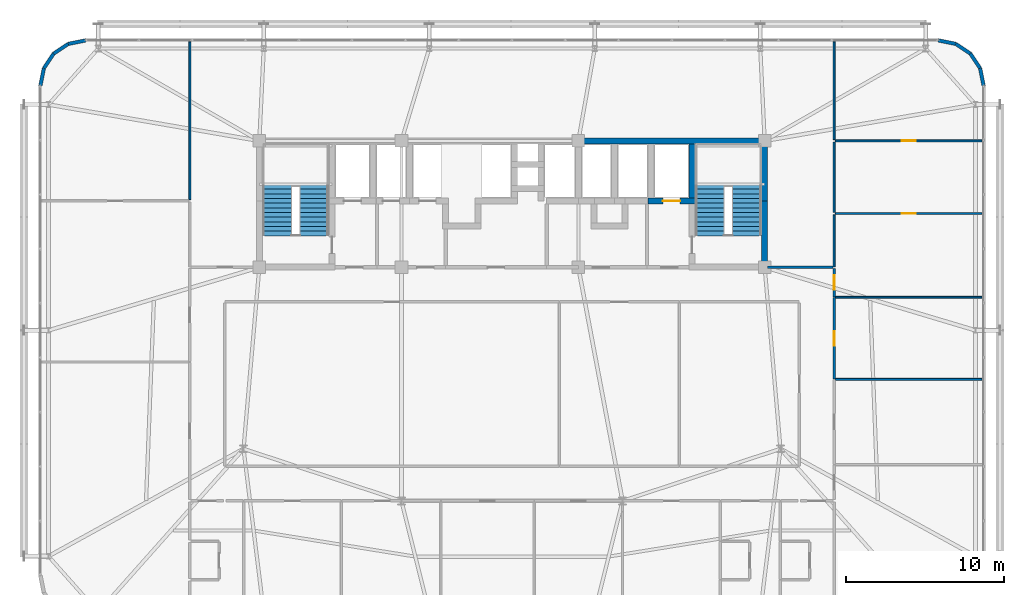
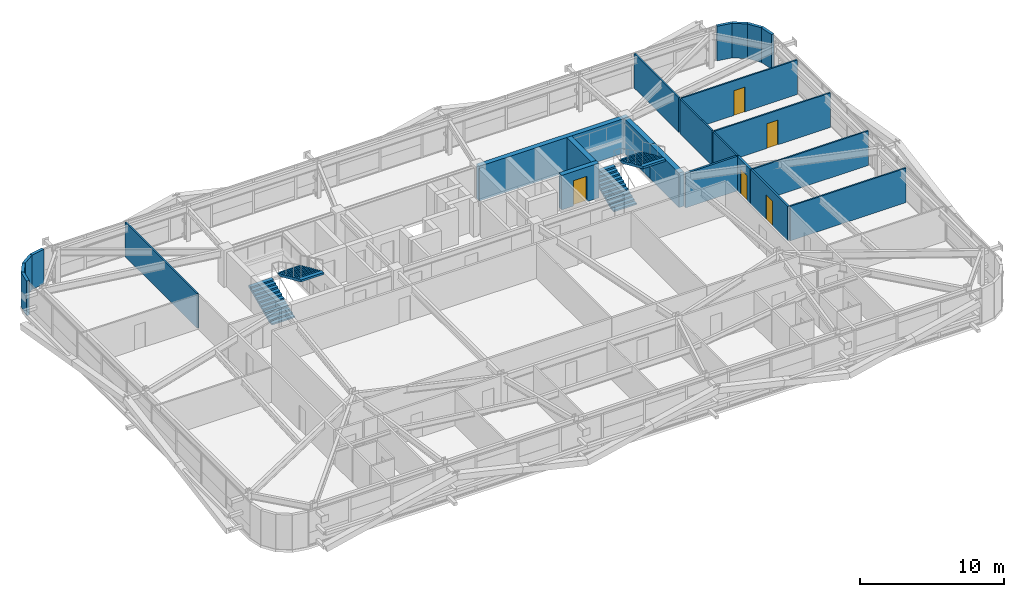
# One storey, part 55 of 58: 24 walls, 5 doors, 4 stair flights, 5 openings, 2 elements without a shape of their own.
"""IFC4 building model written with IfcOpenShell, lengths in metres."""

from ifc_helpers import new_model, si_unit, direction, frame, frame_2d, origin, place, context, subcontext, project, spatial, polyline, rectangle, outline, extrude, source, transform, mapped, material, layer, layer_set, type_object, element, fill, aggregate, save


model = new_model("IFC4")

# Units and contexts
model_context = context("Model", 3, precision=1e-05, world=origin(), true_north=direction((0.0, 1.0)))
body_context = subcontext(model_context, "Body", "Model", "MODEL_VIEW")
ifc_project = project(units=[si_unit("LENGTHUNIT", "METRE"), si_unit("AREAUNIT", "SQUARE_METRE"), si_unit("VOLUMEUNIT", "CUBIC_METRE"), si_unit("PLANEANGLEUNIT", "RADIAN"), si_unit("MASSUNIT", "GRAM", prefix="KILO")], contexts=[model_context])

# Site, building, storey
site_placement = place(None, origin())
site = spatial("IfcSite", under=ifc_project, at=site_placement, CompositionType="ELEMENT")
building_placement = place(site_placement, origin())
building = spatial("IfcBuilding", under=site, at=building_placement, Name="Taldren Reach Tower", CompositionType="ELEMENT")
storey_placement = place(building_placement, frame((0.0, 0.0, 54.60009765625)))
storey = spatial("IfcBuildingStorey", under=building, at=storey_placement, Name="L16", CompositionType="ELEMENT", Elevation=54.60009765625)

# Walls
ifc_material_1 = material(Name="Pale Champagne Anodised Aluminium Cladding", Category="aluminium")
ifc_layer_1 = layer(ifc_material_1, 0.04, Name="Pale Champagne Anodised Aluminium Cladding", Category="aluminium")
ifc_material_2 = material(Name="Mineral Wool Acoustic Insulation", Category="insulation")
ifc_layer_2 = layer(ifc_material_2, 0.06, Name="Mineral Wool Acoustic Insulation", Category="insulation")
ifc_material_3 = material(Name="Steel Gr 350 (C350L0)", Category="steel")
ifc_layer_3 = layer(ifc_material_3, 0.12, Name="Steel Gr 350 (C350L0)", Category="steel")
ifc_layer_set_1 = layer_set([ifc_layer_1, ifc_layer_2, ifc_layer_3], Name="Pale Champagne Aluminium Cladding and Steel Gr 350 Stud Framing")
wall_type_1 = type_object("IfcWallType", Name="EW-CRN-220", PredefinedType="SOLIDWALL", material=ifc_layer_set_1)
shared_shape_1 = source(origin(), body_context, "Body", "SweptSolid", [
    extrude(rectangle(XDim=1.115966796875, YDim=0.219970703125, at=frame_2d((0.55810546875, 0.0))), origin(), (0.0, 0.0, 1.0), 2.929931640625),
])
for number, where, z_axis, x_axis, name in (
    (1, (64.860107421875, 35.5, 0.0), (0.0, 0.0, 1.0), (-0.195148375659, 0.98077373103, 0.0), "Rounded-corner pale-metal facade wall L16-NE1"),
    (2, (64.642333984375, 36.594482421875, 0.0), (0.0, 0.0, 1.0), (-0.555709556774, 0.83137650226, 0.0), "Rounded-corner pale-metal facade wall L16-NE2"),
    (3, (64.022216796875, 37.522216796875, 0.0), (0.0, 0.0, 1.0), (-0.83137650226, 0.555709556774, 0.0), "Rounded-corner pale-metal facade wall L16-NE3"),
    (4, (63.094482421875, 38.142333984375, 0.0), (0.0, 0.0, 1.0), (-0.98077373103, 0.195148375659, 0.0), "Rounded-corner pale-metal facade wall L16-NE4"),
    (5, (8.0, 38.360107421875, 0.0), (0.0, 0.0, 1.0), (-0.98077373103, -0.195148375659, 0.0), "Rounded-corner pale-metal facade wall L16-NW1"),
    (6, (6.905517578125, 38.142333984375, 0.0), (0.0, 0.0, 1.0), (-0.83137650226, -0.555709556774, 0.0), "Rounded-corner pale-metal facade wall L16-NW2"),
    (7, (5.977783203125, 37.522216796875, 0.0), (0.0, 0.0, 1.0), (-0.555709556774, -0.83137650226, 0.0), "Rounded-corner pale-metal facade wall L16-NW3"),
    (8, (5.357666015625, 36.594482421875, 0.0), (0.0, 0.0, 1.0), (-0.195148375659, -0.98077373103, 0.0), "Rounded-corner pale-metal facade wall L16-NW4"),
):
    element("IfcWall", number, at=place(storey_placement, frame(where, z_axis=z_axis, x_axis=x_axis)), inside=storey, type_object=wall_type_1, Name=name, PredefinedType="SOLIDWALL", context=body_context, shape_type="MappedRepresentation", body=[
        mapped(shared_shape_1, transform((0.0, 0.0, 0.0), scale=1.0)),
    ])
ifc_material_4 = material(Name="Concrete S80 (80 MPa)", Category="concrete")
ifc_layer_4 = layer(ifc_material_4, 0.3798828125)
ifc_layer_set_2 = layer_set([ifc_layer_4], Name="Concrete S80 (80 MPa)")
wall_type_2 = type_object("IfcWallType", Name="IW-CORE-380", PredefinedType="SHEAR", material=ifc_layer_set_2)
shared_shape_2 = source(origin(), body_context, "Body", "SweptSolid", [
    extrude(rectangle(XDim=11.989990234375, YDim=0.3798828125, at=frame_2d((5.9951171875, 0.0))), origin(), (0.0, 0.0, 1.0), 2.929931640625),
])
wall_1_placement = place(storey_placement, frame((39.199951171875, 32.0, 0.0), z_axis=(0.0, 0.0, 1.0), x_axis=(1.0, 0.0, 0.0)))
element("IfcWall", 9, at=wall_1_placement, inside=storey, type_object=wall_type_2, Name="Rear Core Shear Wall W-CORE-L16-NORTH3", PredefinedType="SHEAR", context=body_context, shape_type="MappedRepresentation", body=[
    mapped(shared_shape_2, transform((0.0, 0.0, 0.0), scale=1.0)),
])
shared_shape_3 = source(origin(), body_context, "Body", "SweptSolid", [
    extrude(rectangle(XDim=4.010009765625, YDim=0.3798828125, at=frame_2d((2.0048828125, 0.0))), origin(), (0.0, 0.0, 1.0), 2.929931640625),
])
wall_2_placement = place(storey_placement, frame((51.0, 24.18994140625, 0.0), z_axis=(0.0, 0.0, 1.0), x_axis=(0.0, 1.0, 0.0)))
element("IfcWall", 10, at=wall_2_placement, inside=storey, type_object=wall_type_2, Name="Rear Core Shear Wall W-CORE-L16-EAST1", PredefinedType="SHEAR", context=body_context, shape_type="MappedRepresentation", body=[
    mapped(shared_shape_3, transform((0.0, 0.0, 0.0), scale=1.0)),
])
shared_shape_4 = source(origin(), body_context, "Body", "SweptSolid", [
    extrude(rectangle(XDim=3.610107421875, YDim=0.3798828125, at=frame_2d((1.80517578125, 0.0))), origin(), (0.0, 0.0, 1.0), 2.929931640625),
])
wall_3_placement = place(storey_placement, frame((51.0, 28.199951171875, 0.0), z_axis=(0.0, 0.0, 1.0), x_axis=(0.0, 1.0, 0.0)))
element("IfcWall", 11, at=wall_3_placement, inside=storey, type_object=wall_type_2, Name="Rear Core Shear Wall W-CORE-L16-EAST2", PredefinedType="SHEAR", context=body_context, shape_type="MappedRepresentation", body=[
    mapped(shared_shape_4, transform((0.0, 0.0, 0.0), scale=1.0)),
])
shared_shape_5 = source(origin(), body_context, "Body", "SweptSolid", [
    extrude(rectangle(XDim=3.420166015625, YDim=0.3798828125, at=frame_2d((1.7099609375, 0.0))), origin(), (0.0, 0.0, 1.0), 2.929931640625),
])
wall_4_placement = place(storey_placement, frame((46.39990234375, 31.81005859375, 0.0), z_axis=(0.0, 0.0, 1.0), x_axis=(0.0, -1.0, 0.0)))
element("IfcWall", 12, at=wall_4_placement, inside=storey, type_object=wall_type_2, Name="Rear Core Shear Wall W-INT-L16-008", PredefinedType="SHEAR", context=body_context, shape_type="MappedRepresentation", body=[
    mapped(shared_shape_5, transform((0.0, 0.0, 0.0), scale=1.0)),
])

# Wall, opening, door
shared_shape_6 = source(origin(), body_context, "Body", "SweptSolid", [
    extrude(rectangle(XDim=2.97998046875, YDim=0.3798828125, at=frame_2d((1.489990234375, 0.0))), origin(), (0.0, 0.0, 1.0), 2.929931640625),
])
wall_5_placement = place(storey_placement, frame((43.610107421875, 28.199951171875, 0.0), z_axis=(0.0, 0.0, 1.0), x_axis=(1.0, 0.0, 0.0)))
wall_5 = element("IfcWall", 13, at=wall_5_placement, inside=storey, type_object=wall_type_2, Name="Rear Core Shear Wall W-INT-L16-011", PredefinedType="SHEAR", context=body_context, shape_type="MappedRepresentation", body=[
    mapped(shared_shape_6, transform((0.0, 0.0, 0.0), scale=1.0)),
])
shared_shape_7 = source(origin(), body_context, "Body", "SweptSolid", [
    extrude(rectangle(XDim=1.10009765625, YDim=2.14990234375, at=frame_2d((0.550048828125, 1.074951171875))), frame((0.0, 0.199951171875, 0.0), z_axis=(0.0, -1.0, 0.0), x_axis=(1.0, 0.0, 0.0)), (0.0, 0.0, 1.0), 0.39990234375),
])
opening_1_placement = place(wall_5_placement, frame((0.93994140625, 0.0, 0.0)))
opening_1 = element("IfcOpeningElement", 14, at=opening_1_placement, cuts=wall_5, Name="Opening LD-FL2", PredefinedType="OPENING", context=body_context, shape_type="MappedRepresentation", body=[
    mapped(shared_shape_7, transform((0.0, 0.0, 0.0), scale=1.0)),
])
ifc_material_5 = material(Name="Stainless Steel Gr 316 Emergency Lift Landing Door", Category="steel")
door_type_1 = type_object("IfcDoorType", Name="LD-EMG-110", OperationType="SLIDING_TO_LEFT", PredefinedType="DOOR", material=ifc_material_5)
shared_shape_8 = source(origin(), body_context, "Body", "SweptSolid", [
    extrude(rectangle(XDim=1.10009765625, YDim=2.14990234375, at=frame_2d((0.550048828125, 1.074951171875))), frame((0.0, 0.02490234375, 0.0), z_axis=(0.0, -1.0, 0.0), x_axis=(1.0, 0.0, 0.0)), (0.0, 0.0, 1.0), 0.050048828125),
])
door_1_placement = place(opening_1_placement, origin())
door_1 = element("IfcDoor", 15, at=door_1_placement, inside=storey, type_object=door_type_1, Name="Lift Landing Door LD-FL2-L16", OperationType="SLIDING_TO_LEFT", OverallHeight=2.14990234375, OverallWidth=1.10009765625, PredefinedType="DOOR", context=body_context, shape_type="MappedRepresentation", body=[
    mapped(shared_shape_8, transform((0.0, 0.0, 0.0), scale=1.0)),
])
fill(opening_1, door_1)

# Wall
ifc_material_6 = material(Name="Fire-Rated Acoustic Plasterboard Stud Wall", Category="gypsum")
ifc_layer_5 = layer(ifc_material_6, 0.159912109375)
ifc_layer_set_3 = layer_set([ifc_layer_5], Name="Fire-Rated Acoustic Plasterboard Stud Wall")
wall_type_3 = type_object("IfcWallType", Name="IW-FIRE-160", PredefinedType="PARTITIONING", material=ifc_layer_set_3)
shared_shape_9 = source(origin(), body_context, "Body", "SweptSolid", [
    extrude(rectangle(XDim=4.130126953125, YDim=0.159912109375, at=frame_2d((2.06494140625, 0.0))), origin(), (0.0, 0.0, 1.0), 2.929931640625),
])
wall_6_placement = place(storey_placement, frame((51.18994140625, 24.0, 0.0), z_axis=(0.0, 0.0, 1.0), x_axis=(1.0, 0.0, 0.0)))
element("IfcWall", 16, at=wall_6_placement, inside=storey, type_object=wall_type_3, Name="Interior Partition Wall W-INT-L16-059", PredefinedType="PARTITIONING", context=body_context, shape_type="MappedRepresentation", body=[
    mapped(shared_shape_9, transform((0.0, 0.0, 0.0), scale=1.0)),
])

# Wall, opening, door
shared_shape_10 = source(origin(), body_context, "Body", "SweptSolid", [
    extrude(rectangle(XDim=5.15966796875, YDim=0.159912109375, at=frame_2d((2.579833984375, 0.0))), origin(), (0.0, 0.0, 1.0), 2.929931640625),
])
wall_7_placement = place(storey_placement, frame((55.39990234375, 22.079833984375, 0.0), z_axis=(0.0, 0.0, 1.0), x_axis=(0.0, -1.0, 0.0)))
wall_7 = element("IfcWall", 17, at=wall_7_placement, inside=storey, type_object=wall_type_3, Name="Interior Partition Wall W-INT-L16-056", PredefinedType="PARTITIONING", context=body_context, shape_type="MappedRepresentation", body=[
    mapped(shared_shape_10, transform((0.0, 0.0, 0.0), scale=1.0)),
])
shared_shape_11 = source(origin(), body_context, "Body", "SweptSolid", [
    extrude(rectangle(XDim=0.919921875, YDim=2.10009765625, at=frame_2d((0.4599609375, 1.050048828125))), frame((0.0, 0.08984375, 0.0), z_axis=(0.0, -1.0, 0.0), x_axis=(1.0, 0.0, 0.0)), (0.0, 0.0, 1.0), 0.179931640625),
])
opening_2_placement = place(wall_7_placement, frame((2.119873046875, 0.0, 0.0)))
opening_2 = element("IfcOpeningElement", 18, at=opening_2_placement, cuts=wall_7, Name="Opening DI-092", PredefinedType="OPENING", context=body_context, shape_type="MappedRepresentation", body=[
    mapped(shared_shape_11, transform((0.0, 0.0, 0.0), scale=1.0)),
])
ifc_material_7 = material(Name="Solid-Core Timber Suite Door", Category="wood")
door_type_2 = type_object("IfcDoorType", Name="ID-INT-092", OperationType="NOTDEFINED", PredefinedType="DOOR", material=ifc_material_7)
shared_shape_12 = source(origin(), body_context, "Body", "SweptSolid", [
    extrude(rectangle(XDim=0.919921875, YDim=2.10009765625, at=frame_2d((0.4599609375, 1.050048828125))), frame((0.0, 0.02490234375, 0.0), z_axis=(0.0, -1.0, 0.0), x_axis=(1.0, 0.0, 0.0)), (0.0, 0.0, 1.0), 0.050048828125),
])
door_2_placement = place(opening_2_placement, origin())
door_2 = element("IfcDoor", 19, at=door_2_placement, inside=storey, type_object=door_type_2, Name="Interior Door DR-L16-017", OperationType="SINGLE_SWING_RIGHT", OverallHeight=2.10009765625, OverallWidth=0.919921875, PredefinedType="DOOR", context=body_context, shape_type="MappedRepresentation", body=[
    mapped(shared_shape_12, transform((0.0, 0.0, 0.0), scale=1.0)),
])
fill(opening_2, door_2)

# Walls
ifc_material_8 = material(Name="Insulated Residential Stud Partition", Category="gypsum")
ifc_layer_6 = layer(ifc_material_8, 0.1201171875)
ifc_layer_set_4 = layer_set([ifc_layer_6], Name="Insulated Residential Stud Partition")
wall_type_4 = type_object("IfcWallType", Name="IW-PART-120", PredefinedType="PARTITIONING", material=ifc_layer_set_4)
shared_shape_13 = source(origin(), body_context, "Body", "SweptSolid", [
    extrude(rectangle(XDim=9.2900390625, YDim=0.1201171875, at=frame_2d((4.64501953125, 0.0))), origin(), (0.0, 0.0, 1.0), 2.929931640625),
])
for number, where, z_axis, x_axis, name in (
    (20, (55.47998046875, 16.89990234375, 0.0), (0.0, 0.0, 1.0), (1.0, 0.0, 0.0), "Interior Partition Wall W-INT-L16-102"),
    (21, (55.47998046875, 22.10009765625, 0.0), (0.0, 0.0, 1.0), (1.0, 0.0, 0.0), "Interior Partition Wall W-INT-L16-103"),
):
    element("IfcWall", number, at=place(storey_placement, frame(where, z_axis=z_axis, x_axis=x_axis)), inside=storey, type_object=wall_type_4, Name=name, PredefinedType="PARTITIONING", context=body_context, shape_type="MappedRepresentation", body=[
        mapped(shared_shape_13, transform((0.0, 0.0, 0.0), scale=1.0)),
    ])

# Wall, opening, door
wall_8_placement = place(storey_placement, frame((55.47998046875, 27.39990234375, 0.0), z_axis=(0.0, 0.0, 1.0), x_axis=(1.0, 0.0, 0.0)))
wall_8 = element("IfcWall", 22, at=wall_8_placement, inside=storey, type_object=wall_type_4, Name="Interior Partition Wall W-INT-L16-104", PredefinedType="PARTITIONING", context=body_context, shape_type="MappedRepresentation", body=[
    mapped(shared_shape_13, transform((0.0, 0.0, 0.0), scale=1.0)),
])
shared_shape_14 = source(origin(), body_context, "Body", "SweptSolid", [
    extrude(rectangle(XDim=0.860107421875, YDim=2.10009765625, at=frame_2d((0.43017578125, 1.050048828125))), frame((0.0, 0.070068359375, 0.0), z_axis=(0.0, -1.0, 0.0), x_axis=(1.0, 0.0, 0.0)), (0.0, 0.0, 1.0), 0.14013671875),
])
opening_3_placement = place(wall_8_placement, frame((4.215087890625, 0.0, 0.0)))
opening_3 = element("IfcOpeningElement", 23, at=opening_3_placement, cuts=wall_8, Name="Opening DI-086", PredefinedType="OPENING", context=body_context, shape_type="MappedRepresentation", body=[
    mapped(shared_shape_14, transform((0.0, 0.0, 0.0), scale=1.0)),
])
ifc_material_9 = material(Name="Timber Bathroom Door", Category="wood")
door_type_3 = type_object("IfcDoorType", Name="ID-INT-086", OperationType="NOTDEFINED", PredefinedType="DOOR", material=ifc_material_9)
shared_shape_15 = source(origin(), body_context, "Body", "SweptSolid", [
    extrude(rectangle(XDim=0.860107421875, YDim=2.10009765625, at=frame_2d((0.43017578125, 1.050048828125))), frame((0.0, 0.02490234375, 0.0), z_axis=(0.0, -1.0, 0.0), x_axis=(1.0, 0.0, 0.0)), (0.0, 0.0, 1.0), 0.050048828125),
])
door_3_placement = place(opening_3_placement, origin())
door_3 = element("IfcDoor", 24, at=door_3_placement, inside=storey, type_object=door_type_3, Name="Interior Door DR-L16-030", OperationType="SINGLE_SWING_LEFT", OverallHeight=2.10009765625, OverallWidth=0.860107421875, PredefinedType="DOOR", context=body_context, shape_type="MappedRepresentation", body=[
    mapped(shared_shape_15, transform((0.0, 0.0, 0.0), scale=1.0)),
])
fill(opening_3, door_3)

wall_9_placement = place(storey_placement, frame((55.47998046875, 32.0, 0.0), z_axis=(0.0, 0.0, 1.0), x_axis=(1.0, 0.0, 0.0)))
wall_9 = element("IfcWall", 25, at=wall_9_placement, inside=storey, type_object=wall_type_4, Name="Interior Partition Wall W-INT-L16-106", PredefinedType="PARTITIONING", context=body_context, shape_type="MappedRepresentation", body=[
    mapped(shared_shape_13, transform((0.0, 0.0, 0.0), scale=1.0)),
])
opening_4_placement = place(wall_9_placement, frame((4.215087890625, 0.0, 0.0)))
opening_4 = element("IfcOpeningElement", 26, at=opening_4_placement, cuts=wall_9, Name="Opening DI-086", PredefinedType="OPENING", context=body_context, shape_type="MappedRepresentation", body=[
    mapped(shared_shape_14, transform((0.0, 0.0, 0.0), scale=1.0)),
])
door_4_placement = place(opening_4_placement, frame((0.860107421875, 0.0, 0.0), z_axis=(0.0, 0.0, 1.0), x_axis=(-1.0, 0.0, 0.0)))
door_4 = element("IfcDoor", 27, at=door_4_placement, inside=storey, type_object=door_type_3, Name="Interior Door DR-L16-031", OperationType="SINGLE_SWING_LEFT", OverallHeight=2.10009765625, OverallWidth=0.860107421875, PredefinedType="DOOR", context=body_context, shape_type="MappedRepresentation", body=[
    mapped(shared_shape_15, transform((0.0, 0.0, 0.0), scale=1.0)),
])
fill(opening_4, door_4)

# Wall
shared_shape_16 = source(origin(), body_context, "Body", "SweptSolid", [
    extrude(rectangle(XDim=4.43994140625, YDim=0.1201171875, at=frame_2d((2.219970703125, 0.0))), origin(), (0.0, 0.0, 1.0), 2.929931640625),
])
wall_10_placement = place(storey_placement, frame((55.39990234375, 27.47998046875, 0.0), z_axis=(0.0, 0.0, 1.0), x_axis=(0.0, 1.0, 0.0)))
element("IfcWall", 28, at=wall_10_placement, inside=storey, type_object=wall_type_4, Name="Interior Partition Wall W-INT-L16-107", PredefinedType="PARTITIONING", context=body_context, shape_type="MappedRepresentation", body=[
    mapped(shared_shape_16, transform((0.0, 0.0, 0.0), scale=1.0)),
])

# Wall, opening, door
shared_shape_17 = source(origin(), body_context, "Body", "SweptSolid", [
    extrude(rectangle(XDim=1.7998046875, YDim=0.159912109375, at=frame_2d((0.89990234375, 0.0))), origin(), (0.0, 0.0, 1.0), 2.929931640625),
])
wall_11_placement = place(storey_placement, frame((55.39990234375, 23.919921875, 0.0), z_axis=(0.0, 0.0, 1.0), x_axis=(0.0, -1.0, 0.0)))
wall_11 = element("IfcWall", 29, at=wall_11_placement, inside=storey, type_object=wall_type_3, Name="Interior Partition Wall W-INT-L16-057", PredefinedType="PARTITIONING", context=body_context, shape_type="MappedRepresentation", body=[
    mapped(shared_shape_17, transform((0.0, 0.0, 0.0), scale=1.0)),
])
opening_5_placement = place(wall_11_placement, frame((0.43994140625, 0.0, 0.0)))
opening_5 = element("IfcOpeningElement", 30, at=opening_5_placement, cuts=wall_11, Name="Opening DI-092", PredefinedType="OPENING", context=body_context, shape_type="MappedRepresentation", body=[
    mapped(shared_shape_11, transform((0.0, 0.0, 0.0), scale=1.0)),
])
door_5_placement = place(opening_5_placement, origin())
door_5 = element("IfcDoor", 31, at=door_5_placement, inside=storey, type_object=door_type_2, Name="Interior Door DR-L16-018", OperationType="SINGLE_SWING_LEFT", OverallHeight=2.10009765625, OverallWidth=0.919921875, PredefinedType="DOOR", context=body_context, shape_type="MappedRepresentation", body=[
    mapped(shared_shape_12, transform((0.0, 0.0, 0.0), scale=1.0)),
])
fill(opening_5, door_5)

# Walls
shared_shape_18 = source(origin(), body_context, "Body", "SweptSolid", [
    extrude(rectangle(XDim=9.989990234375, YDim=0.1201171875, at=frame_2d((4.9951171875, 0.0))), origin(), (0.0, 0.0, 1.0), 2.929931640625),
])
wall_12_placement = place(storey_placement, frame((14.60009765625, 38.27001953125, 0.0), z_axis=(0.0, 0.0, 1.0), x_axis=(0.0, -1.0, 0.0)))
element("IfcWall", 32, at=wall_12_placement, inside=storey, type_object=wall_type_4, Name="Interior Partition Wall W-INT-L16-100", PredefinedType="PARTITIONING", context=body_context, shape_type="MappedRepresentation", body=[
    mapped(shared_shape_18, transform((0.0, 0.0, 0.0), scale=1.0)),
])
shared_shape_19 = source(origin(), body_context, "Body", "SweptSolid", [
    extrude(rectangle(XDim=3.2998046875, YDim=0.1201171875, at=frame_2d((1.64990234375, 0.0))), origin(), (0.0, 0.0, 1.0), 2.929931640625),
])
wall_13_placement = place(storey_placement, frame((55.39990234375, 24.020263671875, 0.0), z_axis=(0.0, 0.0, 1.0), x_axis=(0.0, 1.0, 0.0)))
element("IfcWall", 33, at=wall_13_placement, inside=storey, type_object=wall_type_4, Name="Interior Partition Wall W-INT-L16-105", PredefinedType="PARTITIONING", context=body_context, shape_type="MappedRepresentation", body=[
    mapped(shared_shape_19, transform((0.0, 0.0, 0.0), scale=1.0)),
])
shared_shape_20 = source(origin(), body_context, "Body", "SweptSolid", [
    extrude(rectangle(XDim=6.18994140625, YDim=0.1201171875, at=frame_2d((3.094970703125, 0.0))), origin(), (0.0, 0.0, 1.0), 2.929931640625),
])
wall_14_placement = place(storey_placement, frame((55.39990234375, 32.080078125, 0.0), z_axis=(0.0, 0.0, 1.0), x_axis=(0.0, 1.0, 0.0)))
element("IfcWall", 34, at=wall_14_placement, inside=storey, type_object=wall_type_4, Name="Interior Partition Wall W-INT-L16-108", PredefinedType="PARTITIONING", context=body_context, shape_type="MappedRepresentation", body=[
    mapped(shared_shape_20, transform((0.0, 0.0, 0.0), scale=1.0)),
])

# Stair, stair flights
ifc_material_10 = material(Name="Concrete S50 (50 MPa)", Category="concrete")
stair_type = type_object("IfcStairType", Name="ST-HT-315", PredefinedType="HALF_TURN_STAIR", material=ifc_material_10)
stair_1_placement = place(storey_placement, origin())
stair_1 = element("IfcStair", 35, at=stair_1_placement, inside=storey, type_object=stair_type, Name="Fire-isolated exit stair ST1 L16", PredefinedType="HALF_TURN_STAIR")
stair_flight_type = type_object("IfcStairFlightType", Name="SF-STR-315", PredefinedType="STRAIGHT", material=ifc_material_10)
stair_flight_1_placement = place(storey_placement, frame((20.139892578125, 25.989990234375, 0.0), z_axis=(0.0, 0.0, 1.0), x_axis=(0.0, 1.0, 0.0)))
stair_flight_1 = element("IfcStairFlight", 36, at=stair_flight_1_placement, type_object=stair_flight_type, Name="ST1 flight 1", NumberOfRisers=12, NumberOfTreads=11, PredefinedType="STRAIGHT", RiserHeight=0.13125, TreadLength=0.295, context=body_context, shape_type="SweptSolid", body=[
    extrude(outline(polyline([(0.0, 0.0), (0.0, 0.13134765625), (0.294921875, 0.13134765625), (0.294921875, 0.262451171875), (0.590087890625, 0.262451171875), (0.590087890625, 0.393798828125), (0.885009765625, 0.393798828125), (0.885009765625, 0.52490234375), (1.179931640625, 0.52490234375), (1.179931640625, 0.65625), (1.47509765625, 0.65625), (1.47509765625, 0.78759765625), (1.77001953125, 0.78759765625), (1.77001953125, 0.918701171875), (2.06494140625, 0.918701171875), (2.06494140625, 1.050048828125), (2.360107421875, 1.050048828125), (2.360107421875, 1.18115234375), (2.655029296875, 1.18115234375), (2.655029296875, 1.3125), (2.949951171875, 1.3125), (2.949951171875, 1.44384765625), (3.2451171875, 1.44384765625), (3.2451171875, 1.574951171875), (3.2451171875, 1.268798828125), (0.393310546875, 0.0), (0.0, 0.0)])), frame((0.0, 0.919921875, 0.0), z_axis=(0.0, -1.0, 0.0), x_axis=(1.0, 0.0, 0.0)), (0.0, 0.0, 1.0), 1.840087890625),
])
stair_flight_2_placement = place(storey_placement, frame((22.4599609375, 29.235107421875, 1.574951171875), z_axis=(0.0, 0.0, 1.0), x_axis=(0.0, -1.0, 0.0)))
stair_flight_2 = element("IfcStairFlight", 37, at=stair_flight_2_placement, type_object=stair_flight_type, Name="ST1 flight 2", NumberOfRisers=12, NumberOfTreads=11, PredefinedType="STRAIGHT", RiserHeight=0.13125, TreadLength=0.295, context=body_context, shape_type="SweptSolid", body=[
    extrude(outline(polyline([(0.0, 0.0), (0.0, 0.13134765625), (0.294921875, 0.13134765625), (0.294921875, 0.262451171875), (0.590087890625, 0.262451171875), (0.590087890625, 0.393798828125), (0.885009765625, 0.393798828125), (0.885009765625, 0.52490234375), (1.179931640625, 0.52490234375), (1.179931640625, 0.65625), (1.47509765625, 0.65625), (1.47509765625, 0.78759765625), (1.77001953125, 0.78759765625), (1.77001953125, 0.918701171875), (2.06494140625, 0.918701171875), (2.06494140625, 1.050048828125), (2.360107421875, 1.050048828125), (2.360107421875, 1.18115234375), (2.655029296875, 1.18115234375), (2.655029296875, 1.3125), (2.949951171875, 1.3125), (2.949951171875, 1.44384765625), (3.2451171875, 1.44384765625), (3.2451171875, 1.574951171875), (3.2451171875, 1.268798828125), (0.393310546875, 0.0), (0.0, 0.0)])), frame((0.0, 0.919921875, 0.0), z_axis=(0.0, -1.0, 0.0), x_axis=(1.0, 0.0, 0.0)), (0.0, 0.0, 1.0), 1.840087890625),
])
aggregate(stair_1, [stair_flight_1, stair_flight_2])

stair_2_placement = place(storey_placement, origin())
stair_2 = element("IfcStair", 38, at=stair_2_placement, inside=storey, type_object=stair_type, Name="Fire-isolated exit stair ST2 L16", PredefinedType="HALF_TURN_STAIR")
stair_flight_3_placement = place(storey_placement, frame((47.5400390625, 25.989990234375, 0.0), z_axis=(0.0, 0.0, 1.0), x_axis=(0.0, 1.0, 0.0)))
stair_flight_3 = element("IfcStairFlight", 39, at=stair_flight_3_placement, type_object=stair_flight_type, Name="ST2 flight 1", NumberOfRisers=12, NumberOfTreads=11, PredefinedType="STRAIGHT", RiserHeight=0.13125, TreadLength=0.295, context=body_context, shape_type="SweptSolid", body=[
    extrude(outline(polyline([(0.0, 0.0), (0.0, 0.13134765625), (0.294921875, 0.13134765625), (0.294921875, 0.262451171875), (0.590087890625, 0.262451171875), (0.590087890625, 0.393798828125), (0.885009765625, 0.393798828125), (0.885009765625, 0.52490234375), (1.179931640625, 0.52490234375), (1.179931640625, 0.65625), (1.47509765625, 0.65625), (1.47509765625, 0.78759765625), (1.77001953125, 0.78759765625), (1.77001953125, 0.918701171875), (2.06494140625, 0.918701171875), (2.06494140625, 1.050048828125), (2.360107421875, 1.050048828125), (2.360107421875, 1.18115234375), (2.655029296875, 1.18115234375), (2.655029296875, 1.3125), (2.949951171875, 1.3125), (2.949951171875, 1.44384765625), (3.2451171875, 1.44384765625), (3.2451171875, 1.574951171875), (3.2451171875, 1.268798828125), (0.393310546875, 0.0), (0.0, 0.0)])), frame((0.0, 0.919921875, 0.0), z_axis=(0.0, -1.0, 0.0), x_axis=(1.0, 0.0, 0.0)), (0.0, 0.0, 1.0), 1.840087890625),
])
stair_flight_4_placement = place(storey_placement, frame((49.860107421875, 29.235107421875, 1.574951171875), z_axis=(0.0, 0.0, 1.0), x_axis=(0.0, -1.0, 0.0)))
stair_flight_4 = element("IfcStairFlight", 40, at=stair_flight_4_placement, type_object=stair_flight_type, Name="ST2 flight 2", NumberOfRisers=12, NumberOfTreads=11, PredefinedType="STRAIGHT", RiserHeight=0.13125, TreadLength=0.295, context=body_context, shape_type="SweptSolid", body=[
    extrude(outline(polyline([(0.0, 0.0), (0.0, 0.13134765625), (0.294921875, 0.13134765625), (0.294921875, 0.262451171875), (0.590087890625, 0.262451171875), (0.590087890625, 0.393798828125), (0.885009765625, 0.393798828125), (0.885009765625, 0.52490234375), (1.179931640625, 0.52490234375), (1.179931640625, 0.65625), (1.47509765625, 0.65625), (1.47509765625, 0.78759765625), (1.77001953125, 0.78759765625), (1.77001953125, 0.918701171875), (2.06494140625, 0.918701171875), (2.06494140625, 1.050048828125), (2.360107421875, 1.050048828125), (2.360107421875, 1.18115234375), (2.655029296875, 1.18115234375), (2.655029296875, 1.3125), (2.949951171875, 1.3125), (2.949951171875, 1.44384765625), (3.2451171875, 1.44384765625), (3.2451171875, 1.574951171875), (3.2451171875, 1.268798828125), (0.393310546875, 0.0), (0.0, 0.0)])), frame((0.0, 0.919921875, 0.0), z_axis=(0.0, -1.0, 0.0), x_axis=(1.0, 0.0, 0.0)), (0.0, 0.0, 1.0), 1.840087890625),
])
aggregate(stair_2, [stair_flight_3, stair_flight_4])

save(model, "model.ifc")
